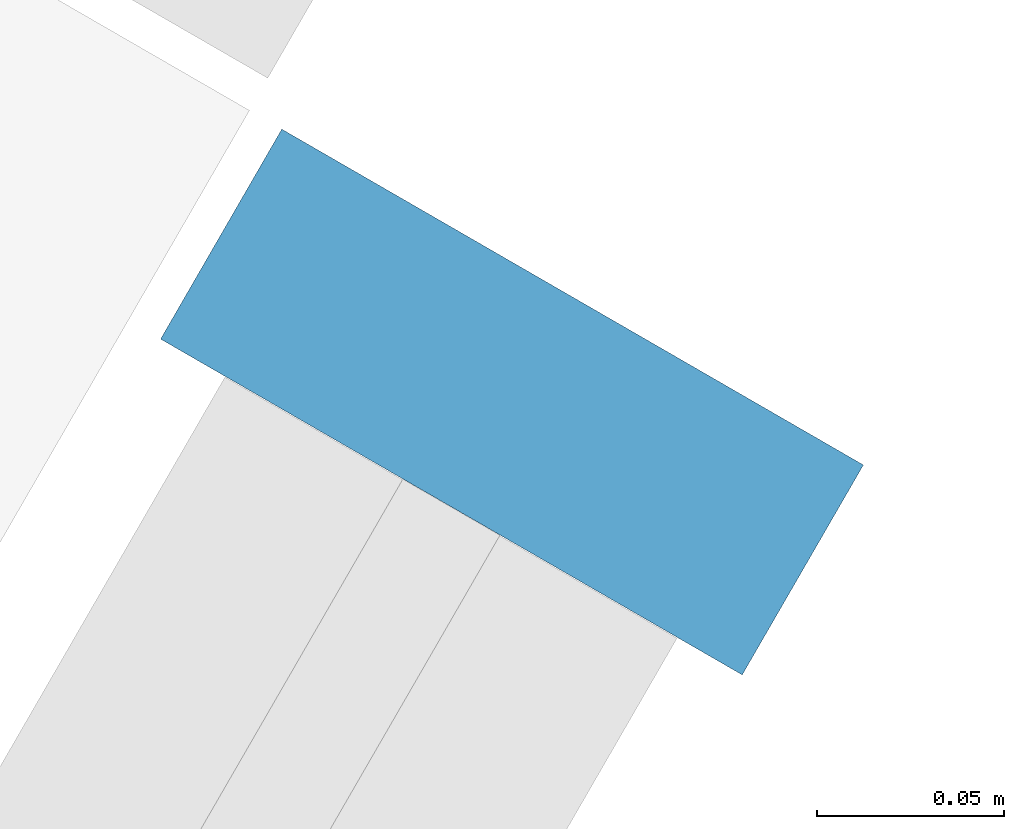
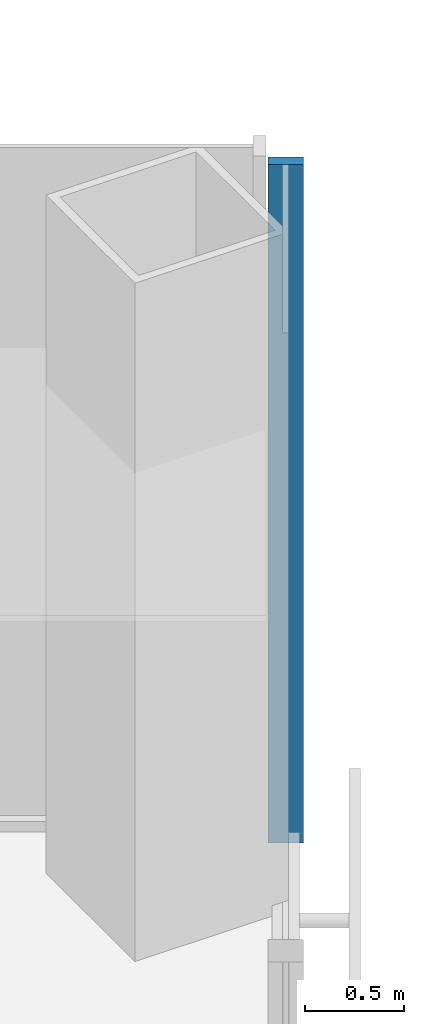
# One storey, part 8 of 16: 1 member, 1 element without a shape of its own.
"""IFC4 building model written with IfcOpenShell, lengths in metres."""

from ifc_helpers import new_model, si_unit, direction, frame, origin, origin_2d, place, context, subcontext, project, spatial, rectangle, extrude, material, material_profile, profile_set, type_object, element, aggregate, save


model = new_model("IFC4")

# Units and contexts
model_context = context("Model", 3, precision=1e-05, world=origin(), true_north=direction((0.0, 1.0)))
body_context = subcontext(model_context, "Body", "Model", "MODEL_VIEW")
ifc_project = project(units=[si_unit("LENGTHUNIT", "METRE"), si_unit("AREAUNIT", "SQUARE_METRE"), si_unit("VOLUMEUNIT", "CUBIC_METRE"), si_unit("PLANEANGLEUNIT", "RADIAN"), si_unit("MASSUNIT", "GRAM", prefix="KILO")], contexts=[model_context])

# Site, building, storey
site_placement = place(None, origin())
site = spatial("IfcSite", under=ifc_project, at=site_placement, CompositionType="ELEMENT")
building_placement = place(site_placement, origin())
building = spatial("IfcBuilding", under=site, at=building_placement, Name="Kasaneha Research Tower", CompositionType="ELEMENT")
storey_placement = place(building_placement, frame((0.0, 0.0, 14.199951171875)))
storey = spatial("IfcBuildingStorey", under=building, at=storey_placement, Name="L04", CompositionType="ELEMENT", Elevation=14.199951171875)

# Curtain wall, member
ifc_material_1 = material(Name="Glass and aluminium", Category="aluminium")
curtain_wall_type = type_object("IfcCurtainWallType", Name="Wet laboratory curtain wall", PredefinedType="USERDEFINED", material=ifc_material_1)
curtain_wall_placement = place(storey_placement, origin())
curtain_wall = element("IfcCurtainWall", 1, at=curtain_wall_placement, inside=storey, type_object=curtain_wall_type, Name="CW-L1 L04 run 05a", ObjectType="UNITISED CURTAIN WALL", PredefinedType="USERDEFINED")
ifc_material_2 = material(Name="Aluminium 6063-T6", Category="aluminium")
ifc_material_profile = material_profile(ifc_material_2, rectangle(XDim=0.06494140625, YDim=0.179931640625, at=origin_2d()), Name="CW-L1 mullion 65x180")
ifc_profile_set = profile_set([ifc_material_profile], Name="Aluminium 6063-T6")
member_type = type_object("IfcMemberType", Name="CW-L1 mullion", PredefinedType="MULLION", material=ifc_profile_set)
member_placement = place(storey_placement, frame((32.01171875, -6.39501953125, 0.0), z_axis=(0.0, 0.0, 1.0), x_axis=(0.500000011442, 0.866025397178, 0.0)))
member = element("IfcMember", 2, at=member_placement, type_object=member_type, Name="CW-L1 mullion 4", PredefinedType="MULLION", context=body_context, shape_type="SweptSolid", body=[
    extrude(rectangle(XDim=0.06494140625, YDim=0.179931640625, at=origin_2d()), origin(), (0.0, 0.0, 1.0), 4.199951171875),
])
aggregate(curtain_wall, [member])

save(model, "model.ifc")
